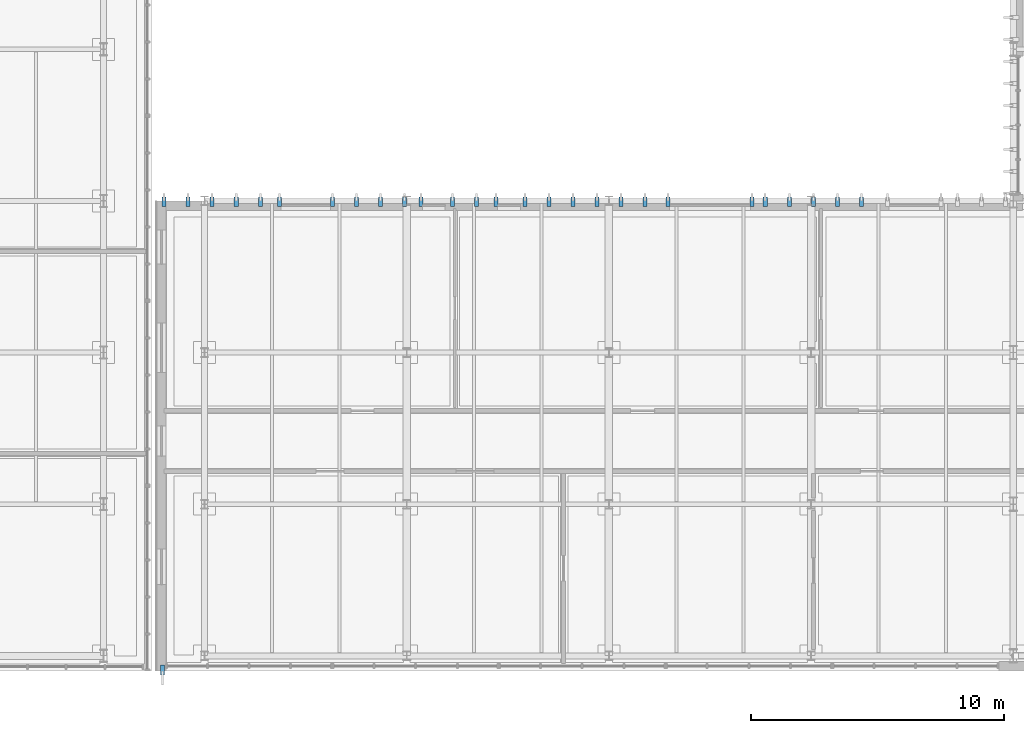
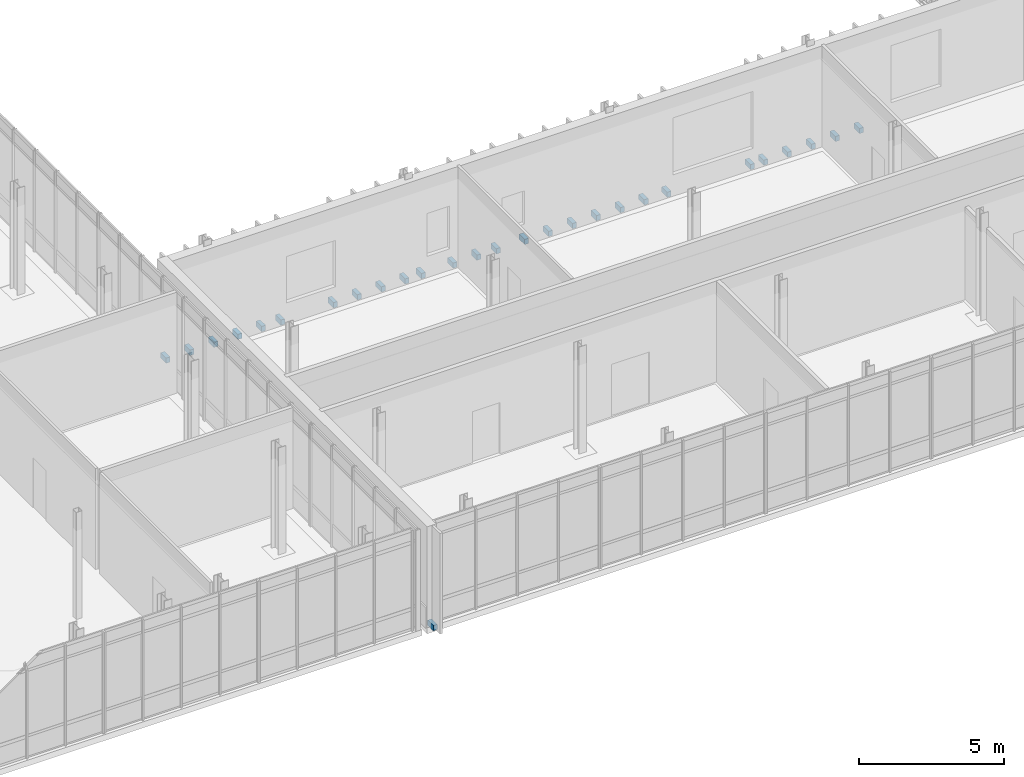
# One storey, part 79 of 100: 28 discrete accessories.
"""IFC4 building model written with IfcOpenShell, lengths in metres."""

from ifc_helpers import new_model, si_unit, direction, frame, origin, origin_2d, place, context, subcontext, project, spatial, rectangle, extrude, material, type_object, element, save


model = new_model("IFC4")

# Units and contexts
model_context = context("Model", 3, precision=1e-05, world=origin(), true_north=direction((0.0, 1.0)))
body_context = subcontext(model_context, "Body", "Model", "MODEL_VIEW")
ifc_project = project(units=[si_unit("LENGTHUNIT", "METRE"), si_unit("AREAUNIT", "SQUARE_METRE"), si_unit("VOLUMEUNIT", "CUBIC_METRE"), si_unit("PLANEANGLEUNIT", "RADIAN"), si_unit("MASSUNIT", "GRAM", prefix="KILO")], contexts=[model_context])

# Site, building, storey
site_placement = place(None, origin())
site = spatial("IfcSite", under=ifc_project, at=site_placement, CompositionType="ELEMENT")
building_placement = place(site_placement, origin())
building = spatial("IfcBuilding", under=site, at=building_placement, Name="Cymarion Research Institute", CompositionType="ELEMENT")
storey_placement = place(building_placement, frame((0.0, 0.0, 9.300048828125)))
storey = spatial("IfcBuildingStorey", under=building, at=storey_placement, Name="L02", CompositionType="ELEMENT", Elevation=9.300048828125)

# Discrete accessories
ifc_material = material(Name="Steel S355", Category="steel")
discrete_accessory_type = type_object("IfcDiscreteAccessoryType", Name="STAINLESS STEEL FACADE FIN BRACKET FBK1", PredefinedType="BRACKET", material=ifc_material)
for number, where, z_axis, x_axis, name in (
    (1, (104.93994140625, 4.93994140625, -0.08984375), (0.0, 0.0, 1.0), (0.0, -1.0, 0.0), "L02 V1 precast fin anchor bracket #210"),
    (2, (132.59130859375, 23.4599609375, -0.08984375), (0.0, 0.0, 1.0), (0.0, 1.0, 0.0), "L02 V1 precast fin anchor bracket #289"),
    (3, (131.639892578125, 23.4599609375, -0.08984375), (0.0, 0.0, 1.0), (0.0, 1.0, 0.0), "L02 V1 precast fin anchor bracket #290"),
    (4, (130.688720703125, 23.4599609375, -0.08984375), (0.0, 0.0, 1.0), (0.0, 1.0, 0.0), "L02 V1 precast fin anchor bracket #291"),
    (5, (129.737060546875, 23.4599609375, -0.08984375), (0.0, 0.0, 1.0), (0.0, 1.0, 0.0), "L02 V1 precast fin anchor bracket #292"),
    (6, (128.78564453125, 23.4599609375, -0.08984375), (0.0, 0.0, 1.0), (0.0, 1.0, 0.0), "L02 V1 precast fin anchor bracket #293"),
    (7, (128.260009765625, 23.4599609375, -0.08984375), (0.0, 0.0, 1.0), (0.0, 1.0, 0.0), "L02 V1 precast fin anchor bracket #294"),
    (8, (124.93994140625, 23.4599609375, -0.08984375), (0.0, 0.0, 1.0), (0.0, 1.0, 0.0), "L02 V1 precast fin anchor bracket #295"),
    (9, (124.028564453125, 23.4599609375, -0.08984375), (0.0, 0.0, 1.0), (0.0, 1.0, 0.0), "L02 V1 precast fin anchor bracket #296"),
    (10, (123.0771484375, 23.4599609375, -0.08984375), (0.0, 0.0, 1.0), (0.0, 1.0, 0.0), "L02 V1 precast fin anchor bracket #297"),
    (11, (122.125732421875, 23.4599609375, -0.08984375), (0.0, 0.0, 1.0), (0.0, 1.0, 0.0), "L02 V1 precast fin anchor bracket #298"),
    (12, (121.17431640625, 23.4599609375, -0.08984375), (0.0, 0.0, 1.0), (0.0, 1.0, 0.0), "L02 V1 precast fin anchor bracket #299"),
    (13, (120.222900390625, 23.4599609375, -0.08984375), (0.0, 0.0, 1.0), (0.0, 1.0, 0.0), "L02 V1 precast fin anchor bracket #300"),
    (14, (119.271484375, 23.4599609375, -0.08984375), (0.0, 0.0, 1.0), (0.0, 1.0, 0.0), "L02 V1 precast fin anchor bracket #301"),
    (15, (118.139892578125, 23.4599609375, -0.08984375), (0.0, 0.0, 1.0), (0.0, 1.0, 0.0), "L02 V1 precast fin anchor bracket #302"),
    (16, (117.36865234375, 23.4599609375, -0.08984375), (0.0, 0.0, 1.0), (0.0, 1.0, 0.0), "L02 V1 precast fin anchor bracket #303"),
    (17, (116.4169921875, 23.4599609375, -0.08984375), (0.0, 0.0, 1.0), (0.0, 1.0, 0.0), "L02 V1 precast fin anchor bracket #304"),
    (18, (115.159912109375, 23.4599609375, -0.08984375), (0.0, 0.0, 1.0), (0.0, 1.0, 0.0), "L02 V1 precast fin anchor bracket #305"),
    (19, (114.514404296875, 23.4599609375, -0.08984375), (0.0, 0.0, 1.0), (0.0, 1.0, 0.0), "L02 V1 precast fin anchor bracket #306"),
    (20, (113.56298828125, 23.4599609375, -0.08984375), (0.0, 0.0, 1.0), (0.0, 1.0, 0.0), "L02 V1 precast fin anchor bracket #307"),
    (21, (112.611328125, 23.4599609375, -0.08984375), (0.0, 0.0, 1.0), (0.0, 1.0, 0.0), "L02 V1 precast fin anchor bracket #308"),
    (22, (111.659912109375, 23.4599609375, -0.08984375), (0.0, 0.0, 1.0), (0.0, 1.0, 0.0), "L02 V1 precast fin anchor bracket #309"),
    (23, (109.56494140625, 23.4599609375, -0.08984375), (0.0, 0.0, 1.0), (0.0, 1.0, 0.0), "L02 V1 precast fin anchor bracket #310"),
    (24, (108.8056640625, 23.4599609375, -0.08984375), (0.0, 0.0, 1.0), (0.0, 1.0, 0.0), "L02 V1 precast fin anchor bracket #311"),
    (25, (107.854248046875, 23.4599609375, -0.08984375), (0.0, 0.0, 1.0), (0.0, 1.0, 0.0), "L02 V1 precast fin anchor bracket #312"),
    (26, (106.90283203125, 23.4599609375, -0.08984375), (0.0, 0.0, 1.0), (0.0, 1.0, 0.0), "L02 V1 precast fin anchor bracket #313"),
    (27, (105.951416015625, 23.4599609375, -0.08984375), (0.0, 0.0, 1.0), (0.0, 1.0, 0.0), "L02 V1 precast fin anchor bracket #314"),
    (28, (105.0, 23.4599609375, -0.08984375), (0.0, 0.0, 1.0), (0.0, 1.0, 0.0), "L02 V1 precast fin anchor bracket #315"),
):
    element("IfcDiscreteAccessory", number, at=place(storey_placement, frame(where, z_axis=z_axis, x_axis=x_axis)), inside=storey, type_object=discrete_accessory_type, Name=name, PredefinedType="BRACKET", context=body_context, shape_type="SweptSolid", body=[
        extrude(rectangle(XDim=0.3798828125, YDim=0.159912109375, at=origin_2d()), origin(), (0.0, 0.0, 1.0), 0.219970703125),
    ])

save(model, "model.ifc")
